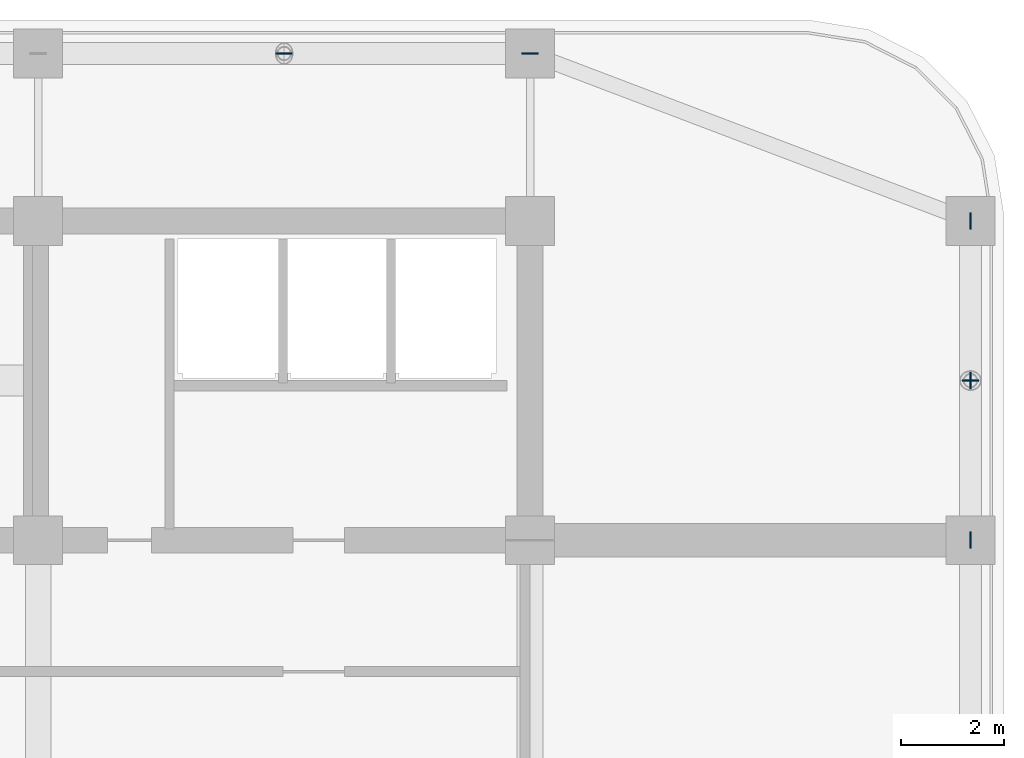
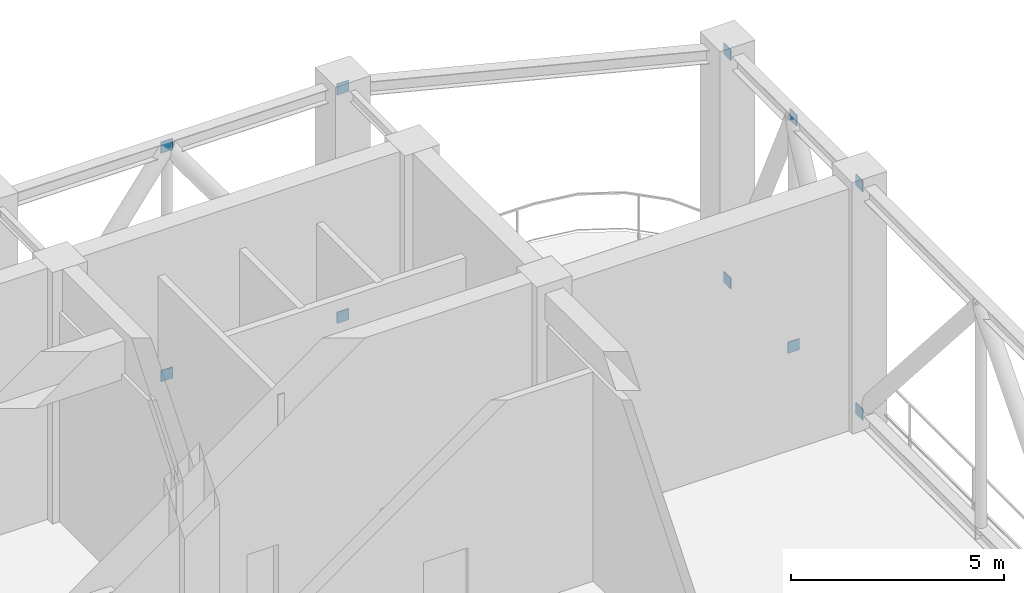
# One storey, part 17 of 20: 10 discrete accessories.
"""IFC4 building model written with IfcOpenShell, lengths in metres."""

from ifc_helpers import new_model, si_unit, direction, frame, origin, origin_2d, place, context, subcontext, project, spatial, rectangle, extrude, material, layer, layer_set, type_object, element, save


model = new_model("IFC4")

# Units and contexts
model_context = context("Model", 3, precision=1e-05, world=origin(), true_north=direction((0.0, 1.0)))
body_context = subcontext(model_context, "Body", "Model", "MODEL_VIEW")
ifc_project = project(units=[si_unit("LENGTHUNIT", "METRE"), si_unit("AREAUNIT", "SQUARE_METRE"), si_unit("VOLUMEUNIT", "CUBIC_METRE"), si_unit("PLANEANGLEUNIT", "RADIAN"), si_unit("MASSUNIT", "GRAM", prefix="KILO")], contexts=[model_context])

# Site, building, storey
site_placement = place(None, origin())
site = spatial("IfcSite", under=ifc_project, at=site_placement, CompositionType="ELEMENT")
building_placement = place(site_placement, origin())
building = spatial("IfcBuilding", under=site, at=building_placement, Name="Svetorya Sky Lyceum", CompositionType="ELEMENT")
storey_placement = place(building_placement, frame((0.0, 0.0, 195.89990234375)))
storey = spatial("IfcBuildingStorey", under=building, at=storey_placement, Name="L49", CompositionType="ELEMENT", Elevation=195.89990234375)

# Discrete accessories
ifc_material = material(Name="Steel S355", Category="steel")
ifc_layer = layer(ifc_material, 0.02392578125)
ifc_layer_set = layer_set([ifc_layer], Name="Steel S355")
discrete_accessory_type = type_object("IfcDiscreteAccessoryType", Name="ACC-GUSSET-24", PredefinedType="BRACKET", material=ifc_layer_set)
for number, where, z_axis, x_axis, name in (
    (1, (52.800048828125, 49.050048828125, 0.037109375), (0.0, 0.0, 1.0), (1.0, 0.0, 0.0), "L49 Brace Node Gusset Plate 153"),
    (2, (52.800048828125, 49.050048828125, 6.5830078125), (0.0, 0.0, 1.0), (1.0, 0.0, 0.0), "L49 Brace Node Gusset Plate 154"),
    (3, (48.02490234375, 49.050048828125, 6.5830078125), (0.0, 0.0, 1.0), (1.0, 0.0, 0.0), "L49 Brace Node Gusset Plate 155"),
    (4, (48.02490234375, 49.050048828125, 0.037109375), (0.0, 0.0, 1.0), (1.0, 0.0, 0.0), "L49 Brace Node Gusset Plate 156"),
):
    element("IfcDiscreteAccessory", number, at=place(storey_placement, frame(where, z_axis=z_axis, x_axis=x_axis)), inside=storey, type_object=discrete_accessory_type, Name=name, PredefinedType="BRACKET", context=body_context, shape_type="SweptSolid", body=[
        extrude(rectangle(XDim=0.320068359375, YDim=0.02392578125, at=origin_2d()), origin(), (0.0, 0.0, 1.0), 0.320068359375),
    ])
for number, where, z_axis, x_axis, name in (
    (5, (61.35009765625, 39.60009765625, 0.037109375), (0.0, 0.0, 1.0), (1.0, 0.0, 0.0), "L49 Brace Node Gusset Plate 185"),
    (6, (61.35009765625, 39.60009765625, 6.5830078125), (0.0, 0.0, 1.0), (1.0, 0.0, 0.0), "L49 Brace Node Gusset Plate 186"),
    (7, (61.35009765625, 45.800048828125, 0.037109375), (0.0, 0.0, 1.0), (1.0, 0.0, 0.0), "L49 Brace Node Gusset Plate 189"),
    (8, (61.35009765625, 45.800048828125, 6.5830078125), (0.0, 0.0, 1.0), (1.0, 0.0, 0.0), "L49 Brace Node Gusset Plate 190"),
    (9, (61.35009765625, 42.699951171875, 6.5830078125), (0.0, 0.0, 1.0), (1.0, 0.0, 0.0), "L49 Brace Node Gusset Plate 191"),
):
    element("IfcDiscreteAccessory", number, at=place(storey_placement, frame(where, z_axis=z_axis, x_axis=x_axis)), inside=storey, type_object=discrete_accessory_type, Name=name, PredefinedType="BRACKET", context=body_context, shape_type="SweptSolid", body=[
        extrude(rectangle(XDim=0.02392578125, YDim=0.320068359375, at=origin_2d()), origin(), (0.0, 0.0, 1.0), 0.320068359375),
    ])
discrete_accessory_placement = place(storey_placement, frame((61.35009765625, 42.699951171875, 0.037109375), z_axis=(0.0, 0.0, 1.0), x_axis=(1.0, 0.0, 0.0)))
element("IfcDiscreteAccessory", 10, at=discrete_accessory_placement, inside=storey, type_object=discrete_accessory_type, Name="L49 Brace Node Gusset Plate 192", PredefinedType="BRACKET", context=body_context, shape_type="SweptSolid", body=[
    extrude(rectangle(XDim=0.320068359375, YDim=0.02392578125, at=origin_2d()), origin(), (0.0, 0.0, 1.0), 0.320068359375),
])

save(model, "model.ifc")
